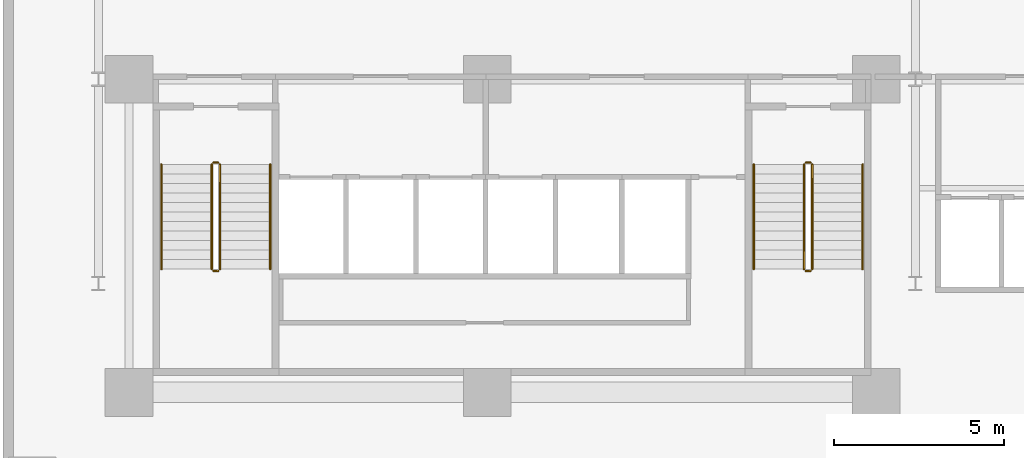
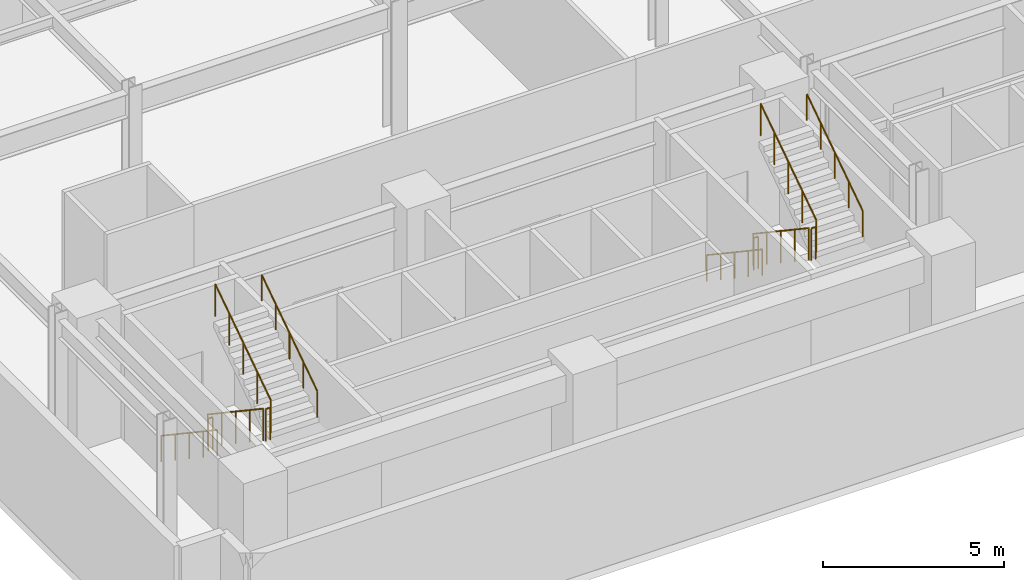
# One storey, part 21 of 26: 12 railings.
"""IFC4 building model written with IfcOpenShell, lengths in metres."""

from ifc_helpers import new_model, si_unit, direction, frame, origin, origin_2d, place, context, subcontext, project, spatial, circle, extrude, material, type_object, element, save


model = new_model("IFC4")

# Units and contexts
model_context = context("Model", 3, precision=1e-05, world=origin(), true_north=direction((0.0, 1.0)))
body_context = subcontext(model_context, "Body", "Model", "MODEL_VIEW")
ifc_project = project(units=[si_unit("LENGTHUNIT", "METRE"), si_unit("AREAUNIT", "SQUARE_METRE"), si_unit("VOLUMEUNIT", "CUBIC_METRE"), si_unit("PLANEANGLEUNIT", "RADIAN"), si_unit("MASSUNIT", "GRAM", prefix="KILO")], contexts=[model_context])

# Site, building, storey
site_placement = place(None, origin())
site = spatial("IfcSite", under=ifc_project, at=site_placement, CompositionType="ELEMENT")
building_placement = place(site_placement, origin())
building = spatial("IfcBuilding", under=site, at=building_placement, Name="Varnakote Quay Hospital", CompositionType="ELEMENT")
storey_placement = place(building_placement, frame((0.0, 0.0, 9.0)))
storey = spatial("IfcBuildingStorey", under=building, at=storey_placement, Name="L02", CompositionType="ELEMENT", Elevation=9.0)

# Railings
ifc_material_1 = material(Name="Brushed stainless steel balustrade", Category="steel")
railing_type_1 = type_object("IfcRailingType", Name="RLG-STAIR-GUARD-1150", PredefinedType="GUARDRAIL", material=ifc_material_1)
railing_1_placement = place(storey_placement, frame((4.530029296875, 9.5, 0.1875)))
element("IfcRailing", 1, at=railing_1_placement, inside=storey, type_object=railing_type_1, Name="L02 ST-01 stair guard 1", PredefinedType="GUARDRAIL", context=body_context, shape_type="SweptSolid", body=[
    extrude(circle(Radius=0.02392578125, at=origin_2d()), frame((0.0, 0.0, 1.076171875), z_axis=(0.0, -0.830913701846, 0.55640131208), x_axis=(1.0, 0.0, 0.0)), (0.0, 0.0, 1.0), 3.706787109375),
    extrude(circle(Radius=0.02099609375, at=origin_2d()), origin(), (0.0, 0.0, 1.0), 1.052001953125),
    extrude(circle(Radius=0.02099609375, at=origin_2d()), frame((0.0, -0.77001953125, 0.515625)), (0.0, 0.0, 1.0), 1.052001953125),
    extrude(circle(Radius=0.02099609375, at=origin_2d()), frame((0.0, -1.5400390625, 1.03125)), (0.0, 0.0, 1.0), 1.052001953125),
    extrude(circle(Radius=0.02099609375, at=origin_2d()), frame((0.0, -2.31005859375, 1.546875)), (0.0, 0.0, 1.0), 1.052001953125),
    extrude(circle(Radius=0.02099609375, at=origin_2d()), frame((0.0, -3.080078125, 2.0625)), (0.0, 0.0, 1.0), 1.052001953125),
])
railing_2_placement = place(storey_placement, frame((4.580078125, 6.3701171875, 2.25)))
element("IfcRailing", 2, at=railing_2_placement, inside=storey, type_object=railing_type_1, Name="L02 ST-01 stair guard 2", PredefinedType="GUARDRAIL", context=body_context, shape_type="SweptSolid", body=[
    extrude(circle(Radius=0.02392578125, at=origin_2d()), frame((0.0, 0.0, 1.076171875), z_axis=(1.0, 0.0, 0.0), x_axis=(0.0, 1.0, 0.0)), (0.0, 0.0, 1.0), 0.139892578125),
    extrude(circle(Radius=0.02099609375, at=origin_2d()), origin(), (0.0, 0.0, 1.0), 1.052001953125),
    extrude(circle(Radius=0.02099609375, at=origin_2d()), frame((0.139892578125, 0.0, 0.0)), (0.0, 0.0, 1.0), 1.052001953125),
])
railing_3_placement = place(storey_placement, frame((4.77001953125, 6.419921875, 2.4375)))
element("IfcRailing", 3, at=railing_3_placement, inside=storey, type_object=railing_type_1, Name="L02 ST-01 stair guard 3", PredefinedType="GUARDRAIL", context=body_context, shape_type="SweptSolid", body=[
    extrude(circle(Radius=0.02392578125, at=origin_2d()), frame((0.0, 0.0, 1.076171875), z_axis=(0.0, 0.830913701846, 0.55640131208), x_axis=(-1.0, 0.0, 0.0)), (0.0, 0.0, 1.0), 3.706787109375),
    extrude(circle(Radius=0.02099609375, at=origin_2d()), origin(), (0.0, 0.0, 1.0), 1.052001953125),
    extrude(circle(Radius=0.02099609375, at=origin_2d()), frame((0.0, 0.77001953125, 0.515625)), (0.0, 0.0, 1.0), 1.052001953125),
    extrude(circle(Radius=0.02099609375, at=origin_2d()), frame((0.0, 1.5400390625, 1.03125)), (0.0, 0.0, 1.0), 1.052001953125),
    extrude(circle(Radius=0.02099609375, at=origin_2d()), frame((0.0, 2.31005859375, 1.546875)), (0.0, 0.0, 1.0), 1.052001953125),
    extrude(circle(Radius=0.02099609375, at=origin_2d()), frame((0.0, 3.080078125, 2.0625)), (0.0, 0.0, 1.0), 1.052001953125),
])
railing_4_placement = place(storey_placement, frame((4.580078125, 9.550048828125, 0.0)))
element("IfcRailing", 4, at=railing_4_placement, inside=storey, type_object=railing_type_1, Name="L02 ST-01 stair guard 4", PredefinedType="GUARDRAIL", context=body_context, shape_type="SweptSolid", body=[
    extrude(circle(Radius=0.02392578125, at=origin_2d()), frame((0.0, 0.0, 1.076171875), z_axis=(1.0, 0.0, 0.0), x_axis=(0.0, 1.0, 0.0)), (0.0, 0.0, 1.0), 0.139892578125),
    extrude(circle(Radius=0.02099609375, at=origin_2d()), origin(), (0.0, 0.0, 1.0), 1.052001953125),
    extrude(circle(Radius=0.02099609375, at=origin_2d()), frame((0.139892578125, 0.0, 0.0)), (0.0, 0.0, 1.0), 1.052001953125),
])
railing_5_placement = place(storey_placement, frame((21.929931640625, 9.5, 0.1875)))
element("IfcRailing", 5, at=railing_5_placement, inside=storey, type_object=railing_type_1, Name="L02 ST-02 stair guard 1", PredefinedType="GUARDRAIL", context=body_context, shape_type="SweptSolid", body=[
    extrude(circle(Radius=0.02392578125, at=origin_2d()), frame((0.0, 0.0, 1.076171875), z_axis=(0.0, -0.830913701846, 0.55640131208), x_axis=(1.0, 0.0, 0.0)), (0.0, 0.0, 1.0), 3.706787109375),
    extrude(circle(Radius=0.02099609375, at=origin_2d()), origin(), (0.0, 0.0, 1.0), 1.052001953125),
    extrude(circle(Radius=0.02099609375, at=origin_2d()), frame((0.0, -0.77001953125, 0.515625)), (0.0, 0.0, 1.0), 1.052001953125),
    extrude(circle(Radius=0.02099609375, at=origin_2d()), frame((0.0, -1.5400390625, 1.03125)), (0.0, 0.0, 1.0), 1.052001953125),
    extrude(circle(Radius=0.02099609375, at=origin_2d()), frame((0.0, -2.31005859375, 1.546875)), (0.0, 0.0, 1.0), 1.052001953125),
    extrude(circle(Radius=0.02099609375, at=origin_2d()), frame((0.0, -3.080078125, 2.0625)), (0.0, 0.0, 1.0), 1.052001953125),
])
railing_6_placement = place(storey_placement, frame((21.97998046875, 6.3701171875, 2.25)))
element("IfcRailing", 6, at=railing_6_placement, inside=storey, type_object=railing_type_1, Name="L02 ST-02 stair guard 2", PredefinedType="GUARDRAIL", context=body_context, shape_type="SweptSolid", body=[
    extrude(circle(Radius=0.02392578125, at=origin_2d()), frame((0.0, 0.0, 1.076171875), z_axis=(1.0, 0.0, 0.0), x_axis=(0.0, 1.0, 0.0)), (0.0, 0.0, 1.0), 0.14013671875),
    extrude(circle(Radius=0.02099609375, at=origin_2d()), origin(), (0.0, 0.0, 1.0), 1.052001953125),
    extrude(circle(Radius=0.02099609375, at=origin_2d()), frame((0.14013671875, 0.0, 0.0)), (0.0, 0.0, 1.0), 1.052001953125),
])
railing_7_placement = place(storey_placement, frame((22.169921875, 6.419921875, 2.4375)))
element("IfcRailing", 7, at=railing_7_placement, inside=storey, type_object=railing_type_1, Name="L02 ST-02 stair guard 3", PredefinedType="GUARDRAIL", context=body_context, shape_type="SweptSolid", body=[
    extrude(circle(Radius=0.02392578125, at=origin_2d()), frame((0.0, 0.0, 1.076171875), z_axis=(0.0, 0.830913701846, 0.55640131208), x_axis=(-1.0, 0.0, 0.0)), (0.0, 0.0, 1.0), 3.706787109375),
    extrude(circle(Radius=0.02099609375, at=origin_2d()), origin(), (0.0, 0.0, 1.0), 1.052001953125),
    extrude(circle(Radius=0.02099609375, at=origin_2d()), frame((0.0, 0.77001953125, 0.515625)), (0.0, 0.0, 1.0), 1.052001953125),
    extrude(circle(Radius=0.02099609375, at=origin_2d()), frame((0.0, 1.5400390625, 1.03125)), (0.0, 0.0, 1.0), 1.052001953125),
    extrude(circle(Radius=0.02099609375, at=origin_2d()), frame((0.0, 2.31005859375, 1.546875)), (0.0, 0.0, 1.0), 1.052001953125),
    extrude(circle(Radius=0.02099609375, at=origin_2d()), frame((0.0, 3.080078125, 2.0625)), (0.0, 0.0, 1.0), 1.052001953125),
])
railing_8_placement = place(storey_placement, frame((21.97998046875, 9.550048828125, 0.0)))
element("IfcRailing", 8, at=railing_8_placement, inside=storey, type_object=railing_type_1, Name="L02 ST-02 stair guard 4", PredefinedType="GUARDRAIL", context=body_context, shape_type="SweptSolid", body=[
    extrude(circle(Radius=0.02392578125, at=origin_2d()), frame((0.0, 0.0, 1.076171875), z_axis=(1.0, 0.0, 0.0), x_axis=(0.0, 1.0, 0.0)), (0.0, 0.0, 1.0), 0.14013671875),
    extrude(circle(Radius=0.02099609375, at=origin_2d()), origin(), (0.0, 0.0, 1.0), 1.052001953125),
    extrude(circle(Radius=0.02099609375, at=origin_2d()), frame((0.14013671875, 0.0, 0.0)), (0.0, 0.0, 1.0), 1.052001953125),
])
ifc_material_2 = material(Name="Brushed stainless steel handrail", Category="steel")
railing_type_2 = type_object("IfcRailingType", Name="RLG-STAIR-HND-920", PredefinedType="HANDRAIL", material=ifc_material_2)
railing_9_placement = place(storey_placement, frame((3.050048828125, 9.5, 0.1875)))
element("IfcRailing", 9, at=railing_9_placement, inside=storey, type_object=railing_type_2, Name="L02 ST-01 stair handrail 1", PredefinedType="HANDRAIL", context=body_context, shape_type="SweptSolid", body=[
    extrude(circle(Radius=0.02392578125, at=origin_2d()), frame((0.0, 0.0, 0.8759765625), z_axis=(0.0, -0.830913701846, 0.55640131208), x_axis=(1.0, 0.0, 0.0)), (0.0, 0.0, 1.0), 3.706787109375),
    extrude(circle(Radius=0.02099609375, at=origin_2d()), origin(), (0.0, 0.0, 1.0), 0.851806640625),
    extrude(circle(Radius=0.02099609375, at=origin_2d()), frame((0.0, -0.77001953125, 0.515625)), (0.0, 0.0, 1.0), 0.851806640625),
    extrude(circle(Radius=0.02099609375, at=origin_2d()), frame((0.0, -1.5400390625, 1.03125)), (0.0, 0.0, 1.0), 0.851806640625),
    extrude(circle(Radius=0.02099609375, at=origin_2d()), frame((0.0, -2.31005859375, 1.546875)), (0.0, 0.0, 1.0), 0.851806640625),
    extrude(circle(Radius=0.02099609375, at=origin_2d()), frame((0.0, -3.080078125, 2.0625)), (0.0, 0.0, 1.0), 0.851806640625),
])
railing_10_placement = place(storey_placement, frame((6.25, 6.419921875, 2.4375)))
element("IfcRailing", 10, at=railing_10_placement, inside=storey, type_object=railing_type_2, Name="L02 ST-01 stair handrail 2", PredefinedType="HANDRAIL", context=body_context, shape_type="SweptSolid", body=[
    extrude(circle(Radius=0.02392578125, at=origin_2d()), frame((0.0, 0.0, 0.8759765625), z_axis=(0.0, 0.830913701846, 0.55640131208), x_axis=(-1.0, 0.0, 0.0)), (0.0, 0.0, 1.0), 3.706787109375),
    extrude(circle(Radius=0.02099609375, at=origin_2d()), origin(), (0.0, 0.0, 1.0), 0.851806640625),
    extrude(circle(Radius=0.02099609375, at=origin_2d()), frame((0.0, 0.77001953125, 0.515625)), (0.0, 0.0, 1.0), 0.851806640625),
    extrude(circle(Radius=0.02099609375, at=origin_2d()), frame((0.0, 1.5400390625, 1.03125)), (0.0, 0.0, 1.0), 0.851806640625),
    extrude(circle(Radius=0.02099609375, at=origin_2d()), frame((0.0, 2.31005859375, 1.546875)), (0.0, 0.0, 1.0), 0.851806640625),
    extrude(circle(Radius=0.02099609375, at=origin_2d()), frame((0.0, 3.080078125, 2.0625)), (0.0, 0.0, 1.0), 0.851806640625),
])
railing_11_placement = place(storey_placement, frame((20.449951171875, 9.5, 0.1875)))
element("IfcRailing", 11, at=railing_11_placement, inside=storey, type_object=railing_type_2, Name="L02 ST-02 stair handrail 1", PredefinedType="HANDRAIL", context=body_context, shape_type="SweptSolid", body=[
    extrude(circle(Radius=0.02392578125, at=origin_2d()), frame((0.0, 0.0, 0.8759765625), z_axis=(0.0, -0.830913701846, 0.55640131208), x_axis=(1.0, 0.0, 0.0)), (0.0, 0.0, 1.0), 3.706787109375),
    extrude(circle(Radius=0.02099609375, at=origin_2d()), origin(), (0.0, 0.0, 1.0), 0.851806640625),
    extrude(circle(Radius=0.02099609375, at=origin_2d()), frame((0.0, -0.77001953125, 0.515625)), (0.0, 0.0, 1.0), 0.851806640625),
    extrude(circle(Radius=0.02099609375, at=origin_2d()), frame((0.0, -1.5400390625, 1.03125)), (0.0, 0.0, 1.0), 0.851806640625),
    extrude(circle(Radius=0.02099609375, at=origin_2d()), frame((0.0, -2.31005859375, 1.546875)), (0.0, 0.0, 1.0), 0.851806640625),
    extrude(circle(Radius=0.02099609375, at=origin_2d()), frame((0.0, -3.080078125, 2.0625)), (0.0, 0.0, 1.0), 0.851806640625),
])
railing_12_placement = place(storey_placement, frame((23.64990234375, 6.419921875, 2.4375)))
element("IfcRailing", 12, at=railing_12_placement, inside=storey, type_object=railing_type_2, Name="L02 ST-02 stair handrail 2", PredefinedType="HANDRAIL", context=body_context, shape_type="SweptSolid", body=[
    extrude(circle(Radius=0.02392578125, at=origin_2d()), frame((0.0, 0.0, 0.8759765625), z_axis=(0.0, 0.830913701846, 0.55640131208), x_axis=(-1.0, 0.0, 0.0)), (0.0, 0.0, 1.0), 3.706787109375),
    extrude(circle(Radius=0.02099609375, at=origin_2d()), origin(), (0.0, 0.0, 1.0), 0.851806640625),
    extrude(circle(Radius=0.02099609375, at=origin_2d()), frame((0.0, 0.77001953125, 0.515625)), (0.0, 0.0, 1.0), 0.851806640625),
    extrude(circle(Radius=0.02099609375, at=origin_2d()), frame((0.0, 1.5400390625, 1.03125)), (0.0, 0.0, 1.0), 0.851806640625),
    extrude(circle(Radius=0.02099609375, at=origin_2d()), frame((0.0, 2.31005859375, 1.546875)), (0.0, 0.0, 1.0), 0.851806640625),
    extrude(circle(Radius=0.02099609375, at=origin_2d()), frame((0.0, 3.080078125, 2.0625)), (0.0, 0.0, 1.0), 0.851806640625),
])

save(model, "model.ifc")
